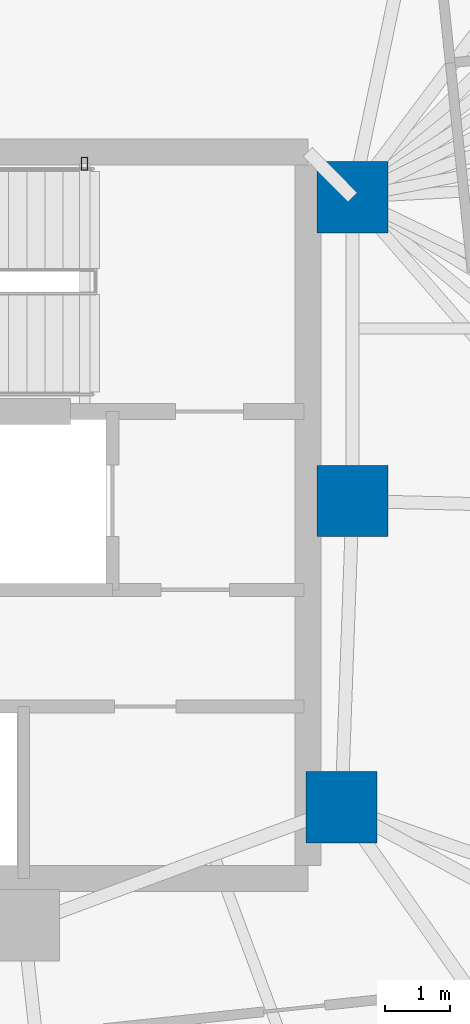
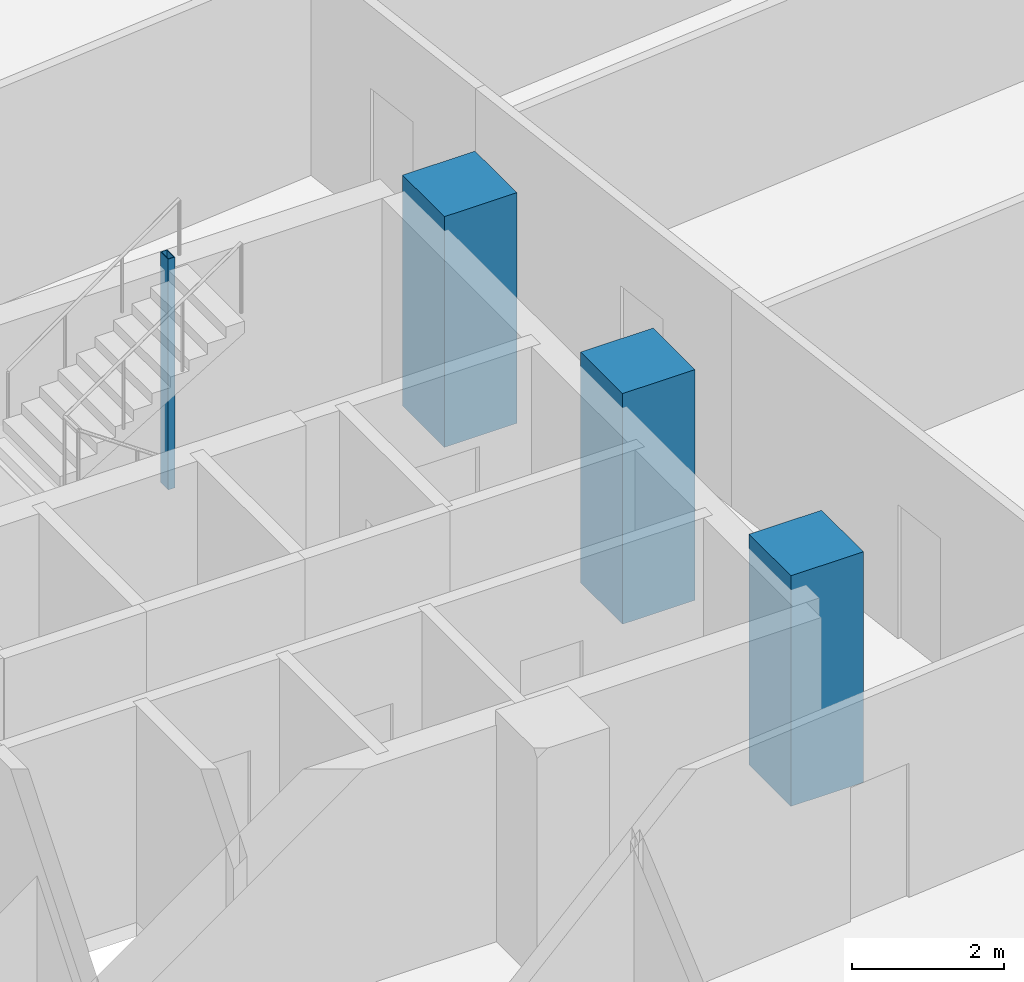
# One storey, part 4 of 18: 4 columns.
"""IFC4 building model written with IfcOpenShell, lengths in metres."""

from ifc_helpers import new_model, si_unit, direction, frame, origin, origin_2d, place, context, subcontext, project, spatial, rectangle, hollow_rectangle, extrude, material, material_profile, profile_set, type_object, element, save


model = new_model("IFC4")

# Units and contexts
model_context = context("Model", 3, precision=1e-05, world=origin(), true_north=direction((0.0, 1.0)))
body_context = subcontext(model_context, "Body", "Model", "MODEL_VIEW")
ifc_project = project(units=[si_unit("LENGTHUNIT", "METRE"), si_unit("AREAUNIT", "SQUARE_METRE"), si_unit("VOLUMEUNIT", "CUBIC_METRE"), si_unit("PLANEANGLEUNIT", "RADIAN"), si_unit("MASSUNIT", "GRAM", prefix="KILO")], contexts=[model_context])

# Site, building, storey
site_placement = place(None, origin())
site = spatial("IfcSite", under=ifc_project, at=site_placement, CompositionType="ELEMENT")
building_placement = place(site_placement, origin())
building = spatial("IfcBuilding", under=site, at=building_placement, Name="Menara Jurai Vektor", CompositionType="ELEMENT")
storey_placement = place(building_placement, frame((0.0, 0.0, 102.199951171875)))
storey = spatial("IfcBuildingStorey", under=building, at=storey_placement, Name="L25", CompositionType="ELEMENT", Elevation=102.199951171875)

# Columns
ifc_material_1 = material(Name="Concrete C50/60", Category="concrete")
ifc_material_profile_1 = material_profile(ifc_material_1, rectangle(XDim=1.10009765625, YDim=1.10009765625, at=origin_2d()), Name="RC 1100x1100")
ifc_profile_set_1 = profile_set([ifc_material_profile_1], Name="Concrete C50/60")
column_type_1 = type_object("IfcColumnType", Name="STR-COL-RC1100", PredefinedType="COLUMN", material=ifc_profile_set_1)
for number, where, z_axis, x_axis, name in (
    (1, (15.25, 4.89990234375, 0.0), (0.0, 0.0, 1.0), (1.0, 0.0, 0.0), "Core Spine Column CE-NE L25"),
    (2, (15.25, 0.219970703125, 0.0), (0.0, 0.0, 1.0), (1.0, 0.0, 0.0), "Core Spine Column CE-EM L25"),
    (3, (15.080078125, -4.5, 0.0), (0.0, 0.0, 1.0), (1.0, 0.0, 0.0), "Core Spine Column CE-SE L25"),
):
    element("IfcColumn", number, at=place(storey_placement, frame(where, z_axis=z_axis, x_axis=x_axis)), inside=storey, type_object=column_type_1, Name=name, PredefinedType="COLUMN", context=body_context, shape_type="SweptSolid", body=[
        extrude(rectangle(XDim=1.10009765625, YDim=1.10009765625, at=origin_2d()), origin(), (0.0, 0.0, 1.0), 3.699951171875),
    ])
ifc_material_2 = material(Name="Steel S355", Category="steel")
ifc_material_profile_2 = material_profile(ifc_material_2, hollow_rectangle(XDim=0.10009765625, YDim=0.199951171875, WallThickness=0.008056640625, at=origin_2d()), Name="RHS 200x100x8")
ifc_profile_set_2 = profile_set([ifc_material_profile_2], Name="Steel S355")
column_type_2 = type_object("IfcColumnType", Name="STR-COL-STAIR", PredefinedType="COLUMN", material=ifc_profile_set_2)
column_placement = place(storey_placement, frame((11.1201171875, 5.419921875, 0.0), z_axis=(0.0, 0.0, 1.0), x_axis=(1.0, 0.0, 0.0)))
element("IfcColumn", 4, at=column_placement, inside=storey, type_object=column_type_2, Name="Stair Well Header Column ST2-P2 L25", PredefinedType="COLUMN", context=body_context, shape_type="SweptSolid", body=[
    extrude(hollow_rectangle(XDim=0.10009765625, YDim=0.199951171875, WallThickness=0.008056640625, at=origin_2d()), origin(), (0.0, 0.0, 1.0), 3.699951171875),
])

save(model, "model.ifc")
